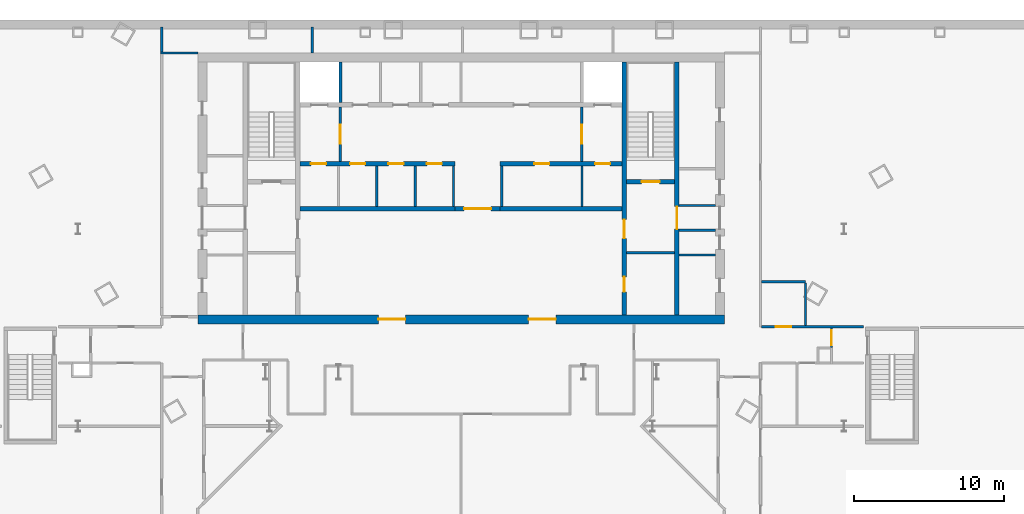
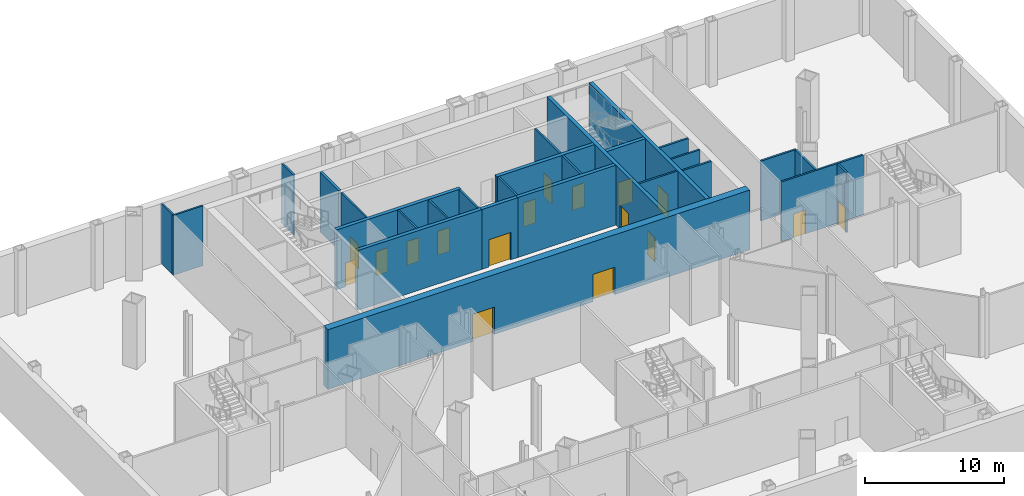
# One storey, part 9 of 17: 28 walls, 17 doors, 17 openings.
"""IFC4 building model written with IfcOpenShell, lengths in metres."""

from ifc_helpers import new_model, si_unit, direction, frame, frame_2d, origin, place, context, subcontext, project, spatial, rectangle, extrude, material, layer, layer_set, type_object, element, fill, save


model = new_model("IFC4")

# Units and contexts
model_context = context("Model", 3, precision=1e-05, world=origin(), true_north=direction((0.0, 1.0)))
body_context = subcontext(model_context, "Body", "Model", "MODEL_VIEW")
ifc_project = project(units=[si_unit("LENGTHUNIT", "METRE"), si_unit("AREAUNIT", "SQUARE_METRE"), si_unit("VOLUMEUNIT", "CUBIC_METRE"), si_unit("PLANEANGLEUNIT", "RADIAN"), si_unit("MASSUNIT", "GRAM", prefix="KILO")], contexts=[model_context])

# Site, building, storey
site_placement = place(None, origin())
site = spatial("IfcSite", under=ifc_project, at=site_placement, CompositionType="ELEMENT")
building_placement = place(site_placement, origin())
building = spatial("IfcBuilding", under=site, at=building_placement, Name="Njiva Tower", CompositionType="ELEMENT")
storey_placement = place(building_placement, frame((0.0, 0.0, -11.4)))
storey = spatial("IfcBuildingStorey", under=building, at=storey_placement, Name="B2", CompositionType="ELEMENT", Elevation=-11.4)

# Walls
ifc_material_1 = material(Name="Blockwork", Category="masonry")
ifc_layer_1 = layer(ifc_material_1, 0.15)
ifc_layer_set_1 = layer_set([ifc_layer_1], Name="Blockwork")
wall_type_1 = type_object("IfcWallType", Name="WT1 Compartment partition 150", PredefinedType="PARTITIONING", material=ifc_layer_set_1)
for number, where, z_axis, x_axis, name in (
    (1, (-5.6, 7.8, 0.0), (0.0, 0.0, 1.0), (0.0, 1.0, 0.0), "Partition CS2"),
    (2, (-3.05, 7.8, 0.0), (0.0, 0.0, 1.0), (0.0, 1.0, 0.0), "Partition CS3"),
    (3, (-0.5, 7.8, 0.0), (0.0, 0.0, 1.0), (0.0, 1.0, 0.0), "Partition CS4"),
    (4, (2.7, 7.8, 0.0), (0.0, 0.0, 1.0), (0.0, 1.0, 0.0), "Partition CS5"),
    (5, (8.0333, 7.8, 0.0), (0.0, 0.0, 1.0), (0.0, 1.0, 0.0), "Partition CS7"),
):
    element("IfcWall", number, at=place(storey_placement, frame(where, z_axis=z_axis, x_axis=x_axis)), inside=storey, type_object=wall_type_1, Name=name, PredefinedType="PARTITIONING", context=body_context, shape_type="SweptSolid", body=[
        extrude(rectangle(XDim=2.7, YDim=0.15, at=frame_2d((1.35, 0.0))), origin(), (0.0, 0.0, 1.0), 5.25),
    ])
wall_1_placement = place(storey_placement, frame((11.0, 4.725, 0.0), z_axis=(0.0, 0.0, 1.0), x_axis=(1.0, 0.0, 0.0)))
element("IfcWall", 6, at=wall_1_placement, inside=storey, type_object=wall_type_1, Name="Room wall B", PredefinedType="PARTITIONING", context=body_context, shape_type="SweptSolid", body=[
    extrude(rectangle(XDim=3.2, YDim=0.15, at=frame_2d((1.6, 0.0))), origin(), (0.0, 0.0, 1.0), 5.25),
])

# Wall, openings, doors
ifc_material_2 = material(Name="Concrete C40/50", Category="concrete")
ifc_layer_2 = layer(ifc_material_2, 0.3)
ifc_layer_set_2 = layer_set([ifc_layer_2], Name="Concrete C40/50")
wall_type_2 = type_object("IfcWallType", Name="WT10 Stair enclosure wall 300", PredefinedType="SHEAR", material=ifc_layer_set_2)
wall_2_placement = place(storey_placement, frame((10.85, 0.6, 0.0), z_axis=(0.0, 0.0, 1.0), x_axis=(0.0, 1.0, 0.0)))
wall_2 = element("IfcWall", 7, at=wall_2_placement, inside=storey, type_object=wall_type_2, Name="Stair wall east inner", PredefinedType="SHEAR", context=body_context, shape_type="SweptSolid", body=[
    extrude(rectangle(XDim=16.8, YDim=0.3, at=frame_2d((8.4, 0.0))), origin(), (0.0, 0.0, 1.0), 5.25),
])
opening_1_placement = place(wall_2_placement, frame((5.075, 0.0, 0.0)))
opening_1 = element("IfcOpeningElement", 8, at=opening_1_placement, cuts=wall_2, Name="Opening B2-D919", PredefinedType="OPENING", context=body_context, shape_type="SweptSolid", body=[
    extrude(rectangle(XDim=1.25, YDim=2.1, at=frame_2d((0.625, 1.05))), frame((0.0, 0.16, 0.0), z_axis=(0.0, -1.0, 0.0), x_axis=(1.0, 0.0, 0.0)), (0.0, 0.0, 1.0), 0.32),
])
opening_2_placement = place(wall_2_placement, frame((1.525, 0.0, 0.0)))
opening_2 = element("IfcOpeningElement", 9, at=opening_2_placement, cuts=wall_2, Name="Opening B2-D920", PredefinedType="OPENING", context=body_context, shape_type="SweptSolid", body=[
    extrude(rectangle(XDim=1.0, YDim=2.1, at=frame_2d((0.5, 1.05))), frame((0.0, 0.16, 0.0), z_axis=(0.0, -1.0, 0.0), x_axis=(1.0, 0.0, 0.0)), (0.0, 0.0, 1.0), 0.32),
])
ifc_material_3 = material(Name="Steel door, painted", Category="steel")
door_type_1 = type_object("IfcDoorType", Name="D5 Steel door 1000x2100", OperationType="SINGLE_SWING_LEFT", PredefinedType="DOOR", material=ifc_material_3)
door_1_placement = place(opening_2_placement, origin())
door_1 = element("IfcDoor", 10, at=door_1_placement, inside=storey, type_object=door_type_1, Name="Electrical room door", OperationType="SINGLE_SWING_LEFT", OverallHeight=2.1, OverallWidth=1.0, PredefinedType="DOOR", context=body_context, shape_type="SweptSolid", body=[
    extrude(rectangle(XDim=1.0, YDim=2.1, at=frame_2d((0.5, 1.05))), frame((0.0, 0.025, 0.0), z_axis=(0.0, -1.0, 0.0), x_axis=(1.0, 0.0, 0.0)), (0.0, 0.0, 1.0), 0.05),
])
fill(opening_2, door_1)
ifc_material_4 = material(Name="Glazed steel fire door", Category="steel")
door_type_2 = type_object("IfcDoorType", Name="D8 Vestibule corridor door 1250x2100 glazed", OperationType="SINGLE_SWING_LEFT", PredefinedType="DOOR", material=ifc_material_4)
door_2_placement = place(opening_1_placement, origin())
door_2 = element("IfcDoor", 11, at=door_2_placement, inside=storey, type_object=door_type_2, Name="Stair vestibule corridor door", OperationType="SINGLE_SWING_RIGHT", OverallHeight=2.1, OverallWidth=1.25, PredefinedType="DOOR", context=body_context, shape_type="SweptSolid", body=[
    extrude(rectangle(XDim=1.25, YDim=2.1, at=frame_2d((0.625, 1.05))), frame((0.0, 0.025, 0.0), z_axis=(0.0, -1.0, 0.0), x_axis=(1.0, 0.0, 0.0)), (0.0, 0.0, 1.0), 0.05),
])
fill(opening_1, door_2)

# Wall, opening, door
wall_3_placement = place(storey_placement, frame((14.35, 0.6, 0.0), z_axis=(0.0, 0.0, 1.0), x_axis=(0.0, 1.0, 0.0)))
wall_3 = element("IfcWall", 12, at=wall_3_placement, inside=storey, type_object=wall_type_2, Name="Stair wall east outer", PredefinedType="SHEAR", context=body_context, shape_type="SweptSolid", body=[
    extrude(rectangle(XDim=16.8, YDim=0.3, at=frame_2d((8.4, 0.0))), origin(), (0.0, 0.0, 1.0), 5.25),
])
opening_3_placement = place(wall_3_placement, frame((5.7, 0.0, 0.0)))
opening_3 = element("IfcOpeningElement", 13, at=opening_3_placement, cuts=wall_3, Name="Opening B2-D927", PredefinedType="OPENING", context=body_context, shape_type="SweptSolid", body=[
    extrude(rectangle(XDim=1.5, YDim=2.1, at=frame_2d((0.75, 1.05))), frame((0.0, 0.16, 0.0), z_axis=(0.0, -1.0, 0.0), x_axis=(1.0, 0.0, 0.0)), (0.0, 0.0, 1.0), 0.32),
])
door_type_3 = type_object("IfcDoorType", Name="D10 Exit door double 1500x2100 glazed", OperationType="DOUBLE_DOOR_SINGLE_SWING", PredefinedType="DOOR", material=ifc_material_4)
door_3_placement = place(opening_3_placement, origin())
door_3 = element("IfcDoor", 14, at=door_3_placement, inside=storey, type_object=door_type_3, Name="Stair B passage door", OperationType="DOUBLE_DOOR_SINGLE_SWING", OverallHeight=2.1, OverallWidth=1.5, PredefinedType="DOOR", context=body_context, shape_type="SweptSolid", body=[
    extrude(rectangle(XDim=1.5, YDim=2.1, at=frame_2d((0.75, 1.05))), frame((0.0, 0.025, 0.0), z_axis=(0.0, -1.0, 0.0), x_axis=(1.0, 0.0, 0.0)), (0.0, 0.0, 1.0), 0.05),
])
fill(opening_3, door_3)

wall_4_placement = place(storey_placement, frame((11.0, 9.45, 0.0), z_axis=(0.0, 0.0, 1.0), x_axis=(1.0, 0.0, 0.0)))
wall_4 = element("IfcWall", 15, at=wall_4_placement, inside=storey, type_object=wall_type_2, Name="Stair B south wall", PredefinedType="SHEAR", context=body_context, shape_type="SweptSolid", body=[
    extrude(rectangle(XDim=3.2, YDim=0.3, at=frame_2d((1.6, 0.0))), origin(), (0.0, 0.0, 1.0), 5.25),
])
opening_4_placement = place(wall_4_placement, frame((1.0, 0.0, 0.0)))
opening_4 = element("IfcOpeningElement", 16, at=opening_4_placement, cuts=wall_4, Name="Opening B2-D918", PredefinedType="OPENING", context=body_context, shape_type="SweptSolid", body=[
    extrude(rectangle(XDim=1.2, YDim=2.1, at=frame_2d((0.6, 1.05))), frame((0.0, 0.16, 0.0), z_axis=(0.0, -1.0, 0.0), x_axis=(1.0, 0.0, 0.0)), (0.0, 0.0, 1.0), 0.32),
])
door_type_4 = type_object("IfcDoorType", Name="D7 Stair vestibule door 1200x2100 glazed", OperationType="SINGLE_SWING_LEFT", PredefinedType="DOOR", material=ifc_material_4)
door_4_placement = place(opening_4_placement, origin())
door_4 = element("IfcDoor", 17, at=door_4_placement, inside=storey, type_object=door_type_4, Name="Stair B door", OperationType="SINGLE_SWING_LEFT", OverallHeight=2.1, OverallWidth=1.2, PredefinedType="DOOR", context=body_context, shape_type="SweptSolid", body=[
    extrude(rectangle(XDim=1.2, YDim=2.1, at=frame_2d((0.6, 1.05))), frame((0.0, 0.025, 0.0), z_axis=(0.0, -1.0, 0.0), x_axis=(1.0, 0.0, 0.0)), (0.0, 0.0, 1.0), 0.05),
])
fill(opening_4, door_4)

# Wall, openings, doors
ifc_material_5 = material(Name="Concrete C60/75", Category="concrete")
ifc_layer_3 = layer(ifc_material_5, 0.6)
ifc_layer_set_3 = layer_set([ifc_layer_3], Name="Concrete C60/75")
wall_type_3 = type_object("IfcWallType", Name="WT15 Core wall 600", PredefinedType="SHEAR", material=ifc_layer_set_3)
wall_5_placement = place(storey_placement, frame((-17.5, 0.3, 0.0), z_axis=(0.0, 0.0, 1.0), x_axis=(1.0, 0.0, 0.0)))
wall_5 = element("IfcWall", 18, at=wall_5_placement, inside=storey, type_object=wall_type_3, Name="Core wall south", PredefinedType="SHEAR", context=body_context, shape_type="SweptSolid", body=[
    extrude(rectangle(XDim=35.0, YDim=0.6, at=frame_2d((17.5, 0.0))), origin(), (0.0, 0.0, 1.0), 5.25),
])
opening_5_placement = place(wall_5_placement, frame((12.0, 0.0, 0.0)))
opening_5 = element("IfcOpeningElement", 19, at=opening_5_placement, cuts=wall_5, Name="Opening B2-D934", PredefinedType="OPENING", context=body_context, shape_type="SweptSolid", body=[
    extrude(rectangle(XDim=1.8, YDim=2.4, at=frame_2d((0.9, 1.2))), frame((0.0, 0.31, 0.0), z_axis=(0.0, -1.0, 0.0), x_axis=(1.0, 0.0, 0.0)), (0.0, 0.0, 1.0), 0.62),
])
opening_6_placement = place(wall_5_placement, frame((22.0, 0.0, 0.0)))
opening_6 = element("IfcOpeningElement", 20, at=opening_6_placement, cuts=wall_5, Name="Opening B2-D935", PredefinedType="OPENING", context=body_context, shape_type="SweptSolid", body=[
    extrude(rectangle(XDim=1.8, YDim=2.4, at=frame_2d((0.9, 1.2))), frame((0.0, 0.31, 0.0), z_axis=(0.0, -1.0, 0.0), x_axis=(1.0, 0.0, 0.0)), (0.0, 0.0, 1.0), 0.62),
])
ifc_material_6 = material(Name="Steel and glass door", Category="steel")
door_type_5 = type_object("IfcDoorType", Name="D3 Core entrance door 1800x2400", OperationType="DOUBLE_DOOR_SINGLE_SWING", PredefinedType="DOOR", material=ifc_material_6)
door_5_placement = place(opening_5_placement, origin())
door_5 = element("IfcDoor", 21, at=door_5_placement, inside=storey, type_object=door_type_5, Name="Core entrance door", OperationType="DOUBLE_DOOR_SINGLE_SWING", OverallHeight=2.4, OverallWidth=1.8, PredefinedType="DOOR", context=body_context, shape_type="SweptSolid", body=[
    extrude(rectangle(XDim=1.8, YDim=2.4, at=frame_2d((0.9, 1.2))), frame((0.0, 0.025, 0.0), z_axis=(0.0, -1.0, 0.0), x_axis=(1.0, 0.0, 0.0)), (0.0, 0.0, 1.0), 0.05),
])
fill(opening_5, door_5)
door_6_placement = place(opening_6_placement, origin())
door_6 = element("IfcDoor", 22, at=door_6_placement, inside=storey, type_object=door_type_5, Name="Core entrance door", OperationType="DOUBLE_DOOR_SINGLE_SWING", OverallHeight=2.4, OverallWidth=1.8, PredefinedType="DOOR", context=body_context, shape_type="SweptSolid", body=[
    extrude(rectangle(XDim=1.8, YDim=2.4, at=frame_2d((0.9, 1.2))), frame((0.0, 0.025, 0.0), z_axis=(0.0, -1.0, 0.0), x_axis=(1.0, 0.0, 0.0)), (0.0, 0.0, 1.0), 0.05),
])
fill(opening_6, door_6)

# Wall, opening, door
ifc_layer_4 = layer(ifc_material_1, 0.15)
ifc_layer_set_4 = layer_set([ifc_layer_4], Name="Blockwork")
wall_type_4 = type_object("IfcWallType", Name="WT2 Lobby partition 150", PredefinedType="PARTITIONING", material=ifc_layer_set_4)
wall_6_placement = place(storey_placement, frame((-8.025, 10.8, 0.0), z_axis=(0.0, 0.0, 1.0), x_axis=(0.0, 1.0, 0.0)))
wall_6 = element("IfcWall", 23, at=wall_6_placement, inside=storey, type_object=wall_type_4, Name="Firefighting lobby wall A", PredefinedType="PARTITIONING", context=body_context, shape_type="SweptSolid", body=[
    extrude(rectangle(XDim=3.6, YDim=0.15, at=frame_2d((1.8, 0.0))), origin(), (0.0, 0.0, 1.0), 5.25),
])
opening_7_placement = place(wall_6_placement, frame((1.175, 0.0, 0.0)))
opening_7 = element("IfcOpeningElement", 24, at=opening_7_placement, cuts=wall_6, Name="Opening B2-D913", PredefinedType="OPENING", context=body_context, shape_type="SweptSolid", body=[
    extrude(rectangle(XDim=1.25, YDim=2.1, at=frame_2d((0.625, 1.05))), frame((0.0, 0.085, 0.0), z_axis=(0.0, -1.0, 0.0), x_axis=(1.0, 0.0, 0.0)), (0.0, 0.0, 1.0), 0.17),
])
door_7_placement = place(opening_7_placement, origin())
door_7 = element("IfcDoor", 25, at=door_7_placement, inside=storey, type_object=door_type_2, Name="Stair vestibule corridor door", OperationType="SINGLE_SWING_RIGHT", OverallHeight=2.1, OverallWidth=1.25, PredefinedType="DOOR", context=body_context, shape_type="SweptSolid", body=[
    extrude(rectangle(XDim=1.25, YDim=2.1, at=frame_2d((0.625, 1.05))), frame((0.0, 0.025, 0.0), z_axis=(0.0, -1.0, 0.0), x_axis=(1.0, 0.0, 0.0)), (0.0, 0.0, 1.0), 0.05),
])
fill(opening_7, door_7)

wall_7_placement = place(storey_placement, frame((8.025, 10.8, 0.0), z_axis=(0.0, 0.0, 1.0), x_axis=(0.0, 1.0, 0.0)))
wall_7 = element("IfcWall", 26, at=wall_7_placement, inside=storey, type_object=wall_type_4, Name="Firefighting lobby wall B", PredefinedType="PARTITIONING", context=body_context, shape_type="SweptSolid", body=[
    extrude(rectangle(XDim=3.6, YDim=0.15, at=frame_2d((1.8, 0.0))), origin(), (0.0, 0.0, 1.0), 5.25),
])
opening_8_placement = place(wall_7_placement, frame((1.175, 0.0, 0.0)))
opening_8 = element("IfcOpeningElement", 27, at=opening_8_placement, cuts=wall_7, Name="Opening B2-D917", PredefinedType="OPENING", context=body_context, shape_type="SweptSolid", body=[
    extrude(rectangle(XDim=1.25, YDim=2.1, at=frame_2d((0.625, 1.05))), frame((0.0, 0.085, 0.0), z_axis=(0.0, -1.0, 0.0), x_axis=(1.0, 0.0, 0.0)), (0.0, 0.0, 1.0), 0.17),
])
door_8_placement = place(opening_8_placement, origin())
door_8 = element("IfcDoor", 28, at=door_8_placement, inside=storey, type_object=door_type_2, Name="Stair vestibule corridor door", OperationType="SINGLE_SWING_LEFT", OverallHeight=2.1, OverallWidth=1.25, PredefinedType="DOOR", context=body_context, shape_type="SweptSolid", body=[
    extrude(rectangle(XDim=1.25, YDim=2.1, at=frame_2d((0.625, 1.05))), frame((0.0, 0.025, 0.0), z_axis=(0.0, -1.0, 0.0), x_axis=(1.0, 0.0, 0.0)), (0.0, 0.0, 1.0), 0.05),
])
fill(opening_8, door_8)

# Wall
ifc_material_7 = material(Name="Gypsum board on steel studs", Category="gypsum")
ifc_layer_5 = layer(ifc_material_7, 0.15)
ifc_layer_set_5 = layer_set([ifc_layer_5], Name="Gypsum board on steel studs")
wall_type_5 = type_object("IfcWallType", Name="WT21 Compartment wall 150", PredefinedType="PARTITIONING", material=ifc_layer_set_5)
wall_8_placement = place(storey_placement, frame((19.975, 2.803, 0.0), z_axis=(0.0, 0.0, 1.0), x_axis=(1.0, 0.0, 0.0)))
element("IfcWall", 29, at=wall_8_placement, inside=storey, type_object=wall_type_5, Name="Partition B2-P097", PredefinedType="PARTITIONING", context=body_context, shape_type="SweptSolid", body=[
    extrude(rectangle(XDim=2.925, YDim=0.15, at=frame_2d((1.4625, 0.0))), origin(), (0.0, 0.0, 1.0), 5.25),
])

# Wall, opening, door
wall_9_placement = place(storey_placement, frame((19.975, -0.197, 0.0), z_axis=(0.0, 0.0, 1.0), x_axis=(0.999999901962, -0.000442804385, 0.0)))
wall_9 = element("IfcWall", 30, at=wall_9_placement, inside=storey, type_object=wall_type_5, Name="Partition B2-P098", PredefinedType="PARTITIONING", context=body_context, shape_type="SweptSolid", body=[
    extrude(rectangle(XDim=6.775, YDim=0.15, at=frame_2d((3.3875, 0.0))), origin(), (0.0, 0.0, 1.0), 5.25),
])
opening_9_placement = place(wall_9_placement, frame((0.962, 0.0, 0.0)))
opening_9 = element("IfcOpeningElement", 31, at=opening_9_placement, cuts=wall_9, Name="Opening B2-D036", PredefinedType="OPENING", context=body_context, shape_type="SweptSolid", body=[
    extrude(rectangle(XDim=1.0, YDim=2.1, at=frame_2d((0.5, 1.05))), frame((0.0, 0.085, 0.0), z_axis=(0.0, -1.0, 0.0), x_axis=(1.0, 0.0, 0.0)), (0.0, 0.0, 1.0), 0.17),
])
ifc_material_8 = material(Name="Steel fire door set", Category="steel")
door_type_6 = type_object("IfcDoorType", Name="D37 Fire door 1000x2100", OperationType="SINGLE_SWING_LEFT", PredefinedType="DOOR", material=ifc_material_8)
door_9_placement = place(opening_9_placement, origin())
door_9 = element("IfcDoor", 32, at=door_9_placement, inside=storey, type_object=door_type_6, Name="Door B2-D036", OperationType="SINGLE_SWING_RIGHT", OverallHeight=2.1, OverallWidth=1.0, PredefinedType="DOOR", context=body_context, shape_type="SweptSolid", body=[
    extrude(rectangle(XDim=1.0, YDim=2.1, at=frame_2d((0.5, 1.05))), frame((0.0, 0.025, 0.0), z_axis=(0.0, -1.0, 0.0), x_axis=(1.0, 0.0, 0.0)), (0.0, 0.0, 1.0), 0.05),
])
fill(opening_9, door_9)

# Wall
wall_10_placement = place(storey_placement, frame((22.9, -0.123, 0.0), z_axis=(0.0, 0.0, 1.0), x_axis=(0.0, 1.0, 0.0)))
element("IfcWall", 33, at=wall_10_placement, inside=storey, type_object=wall_type_5, Name="Partition B2-P102", PredefinedType="PARTITIONING", context=body_context, shape_type="SweptSolid", body=[
    extrude(rectangle(XDim=2.851, YDim=0.15, at=frame_2d((1.4255, 0.0))), origin(), (0.0, 0.0, 1.0), 5.25),
])

# Wall, opening, door
wall_11_placement = place(storey_placement, frame((24.625, -1.588, 0.0), z_axis=(0.0, 0.0, 1.0), x_axis=(0.0, 1.0, 0.0)))
wall_11 = element("IfcWall", 34, at=wall_11_placement, inside=storey, type_object=wall_type_5, Name="Partition B2-P107", PredefinedType="PARTITIONING", context=body_context, shape_type="SweptSolid", body=[
    extrude(rectangle(XDim=1.314, YDim=0.15, at=frame_2d((0.657, 0.0))), origin(), (0.0, 0.0, 1.0), 5.25),
])
opening_10_placement = place(wall_11_placement, frame((0.157, 0.0, 0.0)))
opening_10 = element("IfcOpeningElement", 35, at=opening_10_placement, cuts=wall_11, Name="Opening B2-D038", PredefinedType="OPENING", context=body_context, shape_type="SweptSolid", body=[
    extrude(rectangle(XDim=1.0, YDim=2.1, at=frame_2d((0.5, 1.05))), frame((0.0, 0.085, 0.0), z_axis=(0.0, -1.0, 0.0), x_axis=(1.0, 0.0, 0.0)), (0.0, 0.0, 1.0), 0.17),
])
door_type_7 = type_object("IfcDoorType", Name="D41 Glazed fire door 1000x2100", OperationType="SINGLE_SWING_LEFT", PredefinedType="DOOR", material=ifc_material_4)
door_10_placement = place(opening_10_placement, origin())
door_10 = element("IfcDoor", 36, at=door_10_placement, inside=storey, type_object=door_type_7, Name="Door B2-D038", OperationType="SINGLE_SWING_LEFT", OverallHeight=2.1, OverallWidth=1.0, PredefinedType="DOOR", context=body_context, shape_type="SweptSolid", body=[
    extrude(rectangle(XDim=1.0, YDim=2.1, at=frame_2d((0.5, 1.05))), frame((0.0, 0.025, 0.0), z_axis=(0.0, -1.0, 0.0), x_axis=(1.0, 0.0, 0.0)), (0.0, 0.0, 1.0), 0.05),
])
fill(opening_10, door_10)

# Walls
ifc_layer_6 = layer(ifc_material_7, 0.15)
ifc_layer_set_6 = layer_set([ifc_layer_6], Name="Gypsum board on steel studs")
wall_type_6 = type_object("IfcWallType", Name="WT24 Riser room wall 150", PredefinedType="PARTITIONING", material=ifc_layer_set_6)
wall_12_placement = place(storey_placement, frame((-19.975, 18.0, 0.0), z_axis=(0.0, 0.0, 1.0), x_axis=(1.0, 0.0, 0.0)))
element("IfcWall", 37, at=wall_12_placement, inside=storey, type_object=wall_type_6, Name="Partition B2-P013", PredefinedType="PARTITIONING", context=body_context, shape_type="SweptSolid", body=[
    extrude(rectangle(XDim=2.475, YDim=0.15, at=frame_2d((1.2375, 0.0))), origin(), (0.0, 0.0, 1.0), 5.25),
])
wall_13_placement = place(storey_placement, frame((-19.9, 18.075, 0.0), z_axis=(0.0, 0.0, 1.0), x_axis=(0.0, 1.0, 0.0)))
element("IfcWall", 38, at=wall_13_placement, inside=storey, type_object=wall_type_6, Name="Partition B2-P019", PredefinedType="PARTITIONING", context=body_context, shape_type="SweptSolid", body=[
    extrude(rectangle(XDim=1.675, YDim=0.15, at=frame_2d((0.8375, 0.0))), origin(), (0.0, 0.0, 1.0), 5.25),
])
wall_14_placement = place(storey_placement, frame((-9.9, 18.0, 0.0), z_axis=(0.0, 0.0, 1.0), x_axis=(0.0, 1.0, 0.0)))
element("IfcWall", 39, at=wall_14_placement, inside=storey, type_object=wall_type_6, Name="Partition B2-P049", PredefinedType="PARTITIONING", context=body_context, shape_type="SweptSolid", body=[
    extrude(rectangle(XDim=1.75, YDim=0.15, at=frame_2d((0.875, 0.0))), origin(), (0.0, 0.0, 1.0), 5.25),
])
ifc_layer_7 = layer(ifc_material_1, 0.15)
ifc_layer_set_7 = layer_set([ifc_layer_7], Name="Blockwork")
wall_type_7 = type_object("IfcWallType", Name="WT3 Riser partition 150", PredefinedType="PARTITIONING", material=ifc_layer_set_7)
wall_15_placement = place(storey_placement, frame((14.5, 4.575, 0.0), z_axis=(0.0, 0.0, 1.0), x_axis=(1.0, 0.0, 0.0)))
element("IfcWall", 40, at=wall_15_placement, inside=storey, type_object=wall_type_7, Name="Partition strip E00", PredefinedType="PARTITIONING", context=body_context, shape_type="SweptSolid", body=[
    extrude(rectangle(XDim=2.4, YDim=0.15, at=frame_2d((1.2, 0.0))), origin(), (0.0, 0.0, 1.0), 5.25),
])
ifc_layer_8 = layer(ifc_material_1, 0.15)
ifc_layer_set_8 = layer_set([ifc_layer_8], Name="Blockwork")
wall_type_8 = type_object("IfcWallType", Name="WT4 Stair partition 150", PredefinedType="PARTITIONING", material=ifc_layer_set_8)
for number, where, z_axis, x_axis, name in (
    (41, (14.5, 6.225, 0.0), (0.0, 0.0, 1.0), (1.0, 0.0, 0.0), "Stair B exit passage wall south"),
    (42, (14.5, 7.875, 0.0), (0.0, 0.0, 1.0), (1.0, 0.0, 0.0), "Stair B exit passage wall north"),
):
    element("IfcWall", number, at=place(storey_placement, frame(where, z_axis=z_axis, x_axis=x_axis)), inside=storey, type_object=wall_type_8, Name=name, PredefinedType="PARTITIONING", context=body_context, shape_type="SweptSolid", body=[
        extrude(rectangle(XDim=2.4, YDim=0.15, at=frame_2d((1.2, 0.0))), origin(), (0.0, 0.0, 1.0), 5.25),
    ])

# Wall, opening, door
ifc_layer_9 = layer(ifc_material_1, 0.3)
ifc_layer_set_9 = layer_set([ifc_layer_9], Name="Blockwork")
wall_type_9 = type_object("IfcWallType", Name="WT5 Lobby partition 300", PredefinedType="PARTITIONING", material=ifc_layer_set_9)
wall_16_placement = place(storey_placement, frame((-0.4, 7.65, 0.0), z_axis=(0.0, 0.0, 1.0), x_axis=(1.0, 0.0, 0.0)))
wall_16 = element("IfcWall", 43, at=wall_16_placement, inside=storey, type_object=wall_type_9, Name="Lift lobby screen wall", PredefinedType="PARTITIONING", context=body_context, shape_type="SweptSolid", body=[
    extrude(rectangle(XDim=3.0, YDim=0.3, at=frame_2d((1.5, 0.0))), origin(), (0.0, 0.0, 1.0), 5.25),
])
opening_11_placement = place(wall_16_placement, frame((0.6, 0.0, 0.0)))
opening_11 = element("IfcOpeningElement", 44, at=opening_11_placement, cuts=wall_16, Name="Opening B2-D933", PredefinedType="OPENING", context=body_context, shape_type="SweptSolid", body=[
    extrude(rectangle(XDim=1.8, YDim=2.4, at=frame_2d((0.9, 1.2))), frame((0.0, 0.16, 0.0), z_axis=(0.0, -1.0, 0.0), x_axis=(1.0, 0.0, 0.0)), (0.0, 0.0, 1.0), 0.32),
])
door_11_placement = place(opening_11_placement, origin())
door_11 = element("IfcDoor", 45, at=door_11_placement, inside=storey, type_object=door_type_5, Name="Core entrance door", OperationType="DOUBLE_DOOR_SINGLE_SWING", OverallHeight=2.4, OverallWidth=1.8, PredefinedType="DOOR", context=body_context, shape_type="SweptSolid", body=[
    extrude(rectangle(XDim=1.8, YDim=2.4, at=frame_2d((0.9, 1.2))), frame((0.0, 0.025, 0.0), z_axis=(0.0, -1.0, 0.0), x_axis=(1.0, 0.0, 0.0)), (0.0, 0.0, 1.0), 0.05),
])
fill(opening_11, door_11)

# Wall
ifc_layer_10 = layer(ifc_material_2, 0.2)
ifc_layer_set_10 = layer_set([ifc_layer_10], Name="Concrete C40/50")
wall_type_10 = type_object("IfcWallType", Name="WT6 Lift shaft wall 200", PredefinedType="SHEAR", material=ifc_layer_set_10)
wall_17_placement = place(storey_placement, frame((-8.025, 14.7, 0.0), z_axis=(0.0, 0.0, 1.0), x_axis=(0.0, 1.0, 0.0)))
element("IfcWall", 46, at=wall_17_placement, inside=storey, type_object=wall_type_10, Name="Shaft wall CN1", PredefinedType="SHEAR", context=body_context, shape_type="SweptSolid", body=[
    extrude(rectangle(XDim=2.7, YDim=0.2, at=frame_2d((1.35, 0.0))), origin(), (0.0, 0.0, 1.0), 5.25),
])

# Wall, openings, doors
ifc_layer_11 = layer(ifc_material_2, 0.3)
ifc_layer_set_11 = layer_set([ifc_layer_11], Name="Concrete C40/50")
wall_type_11 = type_object("IfcWallType", Name="WT7 Lift shaft wall 300", PredefinedType="SHEAR", material=ifc_layer_set_11)
wall_18_placement = place(storey_placement, frame((-10.7, 10.65, 0.0), z_axis=(0.0, 0.0, 1.0), x_axis=(1.0, 0.0, 0.0)))
wall_18 = element("IfcWall", 47, at=wall_18_placement, inside=storey, type_object=wall_type_11, Name="Shaft wall south row lobby side W", PredefinedType="SHEAR", context=body_context, shape_type="SweptSolid", body=[
    extrude(rectangle(XDim=10.3, YDim=0.3, at=frame_2d((5.15, 0.0))), origin(), (0.0, 0.0, 1.0), 5.25),
])
opening_12_placement = place(wall_18_placement, frame((0.725, 0.0, 0.0)))
opening_12 = element("IfcOpeningElement", 48, at=opening_12_placement, cuts=wall_18, Name="Opening B2-D907", PredefinedType="OPENING", context=body_context, shape_type="SweptSolid", body=[
    extrude(rectangle(XDim=1.0, YDim=2.1, at=frame_2d((0.5, 1.05))), frame((0.0, 0.16, 0.0), z_axis=(0.0, -1.0, 0.0), x_axis=(1.0, 0.0, 0.0)), (0.0, 0.0, 1.0), 0.32),
])
opening_13_placement = place(wall_18_placement, frame((3.325, 0.0, 0.0)))
opening_13 = element("IfcOpeningElement", 49, at=opening_13_placement, cuts=wall_18, Name="Opening B2-D908", PredefinedType="OPENING", context=body_context, shape_type="SweptSolid", body=[
    extrude(rectangle(XDim=1.0, YDim=2.1, at=frame_2d((0.5, 1.05))), frame((0.0, 0.16, 0.0), z_axis=(0.0, -1.0, 0.0), x_axis=(1.0, 0.0, 0.0)), (0.0, 0.0, 1.0), 0.32),
])
opening_14_placement = place(wall_18_placement, frame((5.875, 0.0, 0.0)))
opening_14 = element("IfcOpeningElement", 50, at=opening_14_placement, cuts=wall_18, Name="Opening B2-D909", PredefinedType="OPENING", context=body_context, shape_type="SweptSolid", body=[
    extrude(rectangle(XDim=1.0, YDim=2.1, at=frame_2d((0.5, 1.05))), frame((0.0, 0.16, 0.0), z_axis=(0.0, -1.0, 0.0), x_axis=(1.0, 0.0, 0.0)), (0.0, 0.0, 1.0), 0.32),
])
opening_15_placement = place(wall_18_placement, frame((8.425, 0.0, 0.0)))
opening_15 = element("IfcOpeningElement", 51, at=opening_15_placement, cuts=wall_18, Name="Opening B2-D910", PredefinedType="OPENING", context=body_context, shape_type="SweptSolid", body=[
    extrude(rectangle(XDim=1.0, YDim=2.1, at=frame_2d((0.5, 1.05))), frame((0.0, 0.16, 0.0), z_axis=(0.0, -1.0, 0.0), x_axis=(1.0, 0.0, 0.0)), (0.0, 0.0, 1.0), 0.32),
])
door_12_placement = place(opening_12_placement, origin())
door_12 = element("IfcDoor", 52, at=door_12_placement, inside=storey, type_object=door_type_1, Name="Cleaner's store door", OperationType="SINGLE_SWING_LEFT", OverallHeight=2.1, OverallWidth=1.0, PredefinedType="DOOR", context=body_context, shape_type="SweptSolid", body=[
    extrude(rectangle(XDim=1.0, YDim=2.1, at=frame_2d((0.5, 1.05))), frame((0.0, 0.025, 0.0), z_axis=(0.0, -1.0, 0.0), x_axis=(1.0, 0.0, 0.0)), (0.0, 0.0, 1.0), 0.05),
])
fill(opening_12, door_12)
door_13_placement = place(opening_13_placement, origin())
door_13 = element("IfcDoor", 53, at=door_13_placement, inside=storey, type_object=door_type_1, Name="Store room door", OperationType="SINGLE_SWING_LEFT", OverallHeight=2.1, OverallWidth=1.0, PredefinedType="DOOR", context=body_context, shape_type="SweptSolid", body=[
    extrude(rectangle(XDim=1.0, YDim=2.1, at=frame_2d((0.5, 1.05))), frame((0.0, 0.025, 0.0), z_axis=(0.0, -1.0, 0.0), x_axis=(1.0, 0.0, 0.0)), (0.0, 0.0, 1.0), 0.05),
])
fill(opening_13, door_13)
door_14_placement = place(opening_14_placement, origin())
door_14 = element("IfcDoor", 54, at=door_14_placement, inside=storey, type_object=door_type_1, Name="Electrical room door", OperationType="SINGLE_SWING_RIGHT", OverallHeight=2.1, OverallWidth=1.0, PredefinedType="DOOR", context=body_context, shape_type="SweptSolid", body=[
    extrude(rectangle(XDim=1.0, YDim=2.1, at=frame_2d((0.5, 1.05))), frame((0.0, 0.025, 0.0), z_axis=(0.0, -1.0, 0.0), x_axis=(1.0, 0.0, 0.0)), (0.0, 0.0, 1.0), 0.05),
])
fill(opening_14, door_14)
door_15_placement = place(opening_15_placement, origin())
door_15 = element("IfcDoor", 55, at=door_15_placement, inside=storey, type_object=door_type_1, Name="Telecoms room door", OperationType="SINGLE_SWING_RIGHT", OverallHeight=2.1, OverallWidth=1.0, PredefinedType="DOOR", context=body_context, shape_type="SweptSolid", body=[
    extrude(rectangle(XDim=1.0, YDim=2.1, at=frame_2d((0.5, 1.05))), frame((0.0, 0.025, 0.0), z_axis=(0.0, -1.0, 0.0), x_axis=(1.0, 0.0, 0.0)), (0.0, 0.0, 1.0), 0.05),
])
fill(opening_15, door_15)

# Wall
wall_19_placement = place(storey_placement, frame((-10.7, 7.65, 0.0), z_axis=(0.0, 0.0, 1.0), x_axis=(1.0, 0.0, 0.0)))
element("IfcWall", 56, at=wall_19_placement, inside=storey, type_object=wall_type_11, Name="Shaft wall south row back W", PredefinedType="SHEAR", context=body_context, shape_type="SweptSolid", body=[
    extrude(rectangle(XDim=10.3, YDim=0.3, at=frame_2d((5.15, 0.0))), origin(), (0.0, 0.0, 1.0), 5.25),
])

# Wall, openings, doors
wall_20_placement = place(storey_placement, frame((2.6, 10.65, 0.0), z_axis=(0.0, 0.0, 1.0), x_axis=(1.0, 0.0, 0.0)))
wall_20 = element("IfcWall", 57, at=wall_20_placement, inside=storey, type_object=wall_type_11, Name="Shaft wall south row lobby side E", PredefinedType="SHEAR", context=body_context, shape_type="SweptSolid", body=[
    extrude(rectangle(XDim=8.1, YDim=0.3, at=frame_2d((4.05, 0.0))), origin(), (0.0, 0.0, 1.0), 5.25),
])
opening_16_placement = place(wall_20_placement, frame((2.2667, 0.0, 0.0)))
opening_16 = element("IfcOpeningElement", 58, at=opening_16_placement, cuts=wall_20, Name="Opening B2-D911", PredefinedType="OPENING", context=body_context, shape_type="SweptSolid", body=[
    extrude(rectangle(XDim=1.0, YDim=2.1, at=frame_2d((0.5, 1.05))), frame((0.0, 0.16, 0.0), z_axis=(0.0, -1.0, 0.0), x_axis=(1.0, 0.0, 0.0)), (0.0, 0.0, 1.0), 0.32),
])
opening_17_placement = place(wall_20_placement, frame((6.3167, 0.0, 0.0)))
opening_17 = element("IfcOpeningElement", 59, at=opening_17_placement, cuts=wall_20, Name="Opening B2-D912", PredefinedType="OPENING", context=body_context, shape_type="SweptSolid", body=[
    extrude(rectangle(XDim=1.0, YDim=2.1, at=frame_2d((0.5, 1.05))), frame((0.0, 0.16, 0.0), z_axis=(0.0, -1.0, 0.0), x_axis=(1.0, 0.0, 0.0)), (0.0, 0.0, 1.0), 0.32),
])
door_16_placement = place(opening_16_placement, origin())
door_16 = element("IfcDoor", 60, at=door_16_placement, inside=storey, type_object=door_type_1, Name="Mechanical room door", OperationType="SINGLE_SWING_LEFT", OverallHeight=2.1, OverallWidth=1.0, PredefinedType="DOOR", context=body_context, shape_type="SweptSolid", body=[
    extrude(rectangle(XDim=1.0, YDim=2.1, at=frame_2d((0.5, 1.05))), frame((0.0, 0.025, 0.0), z_axis=(0.0, -1.0, 0.0), x_axis=(1.0, 0.0, 0.0)), (0.0, 0.0, 1.0), 0.05),
])
fill(opening_16, door_16)
door_17_placement = place(opening_17_placement, origin())
door_17 = element("IfcDoor", 61, at=door_17_placement, inside=storey, type_object=door_type_1, Name="Pump room door", OperationType="SINGLE_SWING_RIGHT", OverallHeight=2.1, OverallWidth=1.0, PredefinedType="DOOR", context=body_context, shape_type="SweptSolid", body=[
    extrude(rectangle(XDim=1.0, YDim=2.1, at=frame_2d((0.5, 1.05))), frame((0.0, 0.025, 0.0), z_axis=(0.0, -1.0, 0.0), x_axis=(1.0, 0.0, 0.0)), (0.0, 0.0, 1.0), 0.05),
])
fill(opening_17, door_17)

# Wall
wall_21_placement = place(storey_placement, frame((2.6, 7.65, 0.0), z_axis=(0.0, 0.0, 1.0), x_axis=(1.0, 0.0, 0.0)))
element("IfcWall", 62, at=wall_21_placement, inside=storey, type_object=wall_type_11, Name="Shaft wall south row back E", PredefinedType="SHEAR", context=body_context, shape_type="SweptSolid", body=[
    extrude(rectangle(XDim=8.1, YDim=0.3, at=frame_2d((4.05, 0.0))), origin(), (0.0, 0.0, 1.0), 5.25),
])

save(model, "model.ifc")
